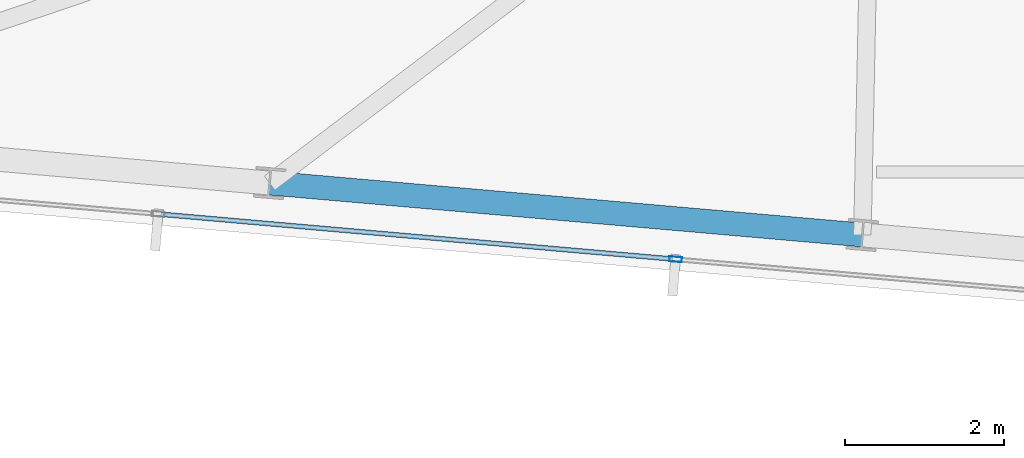
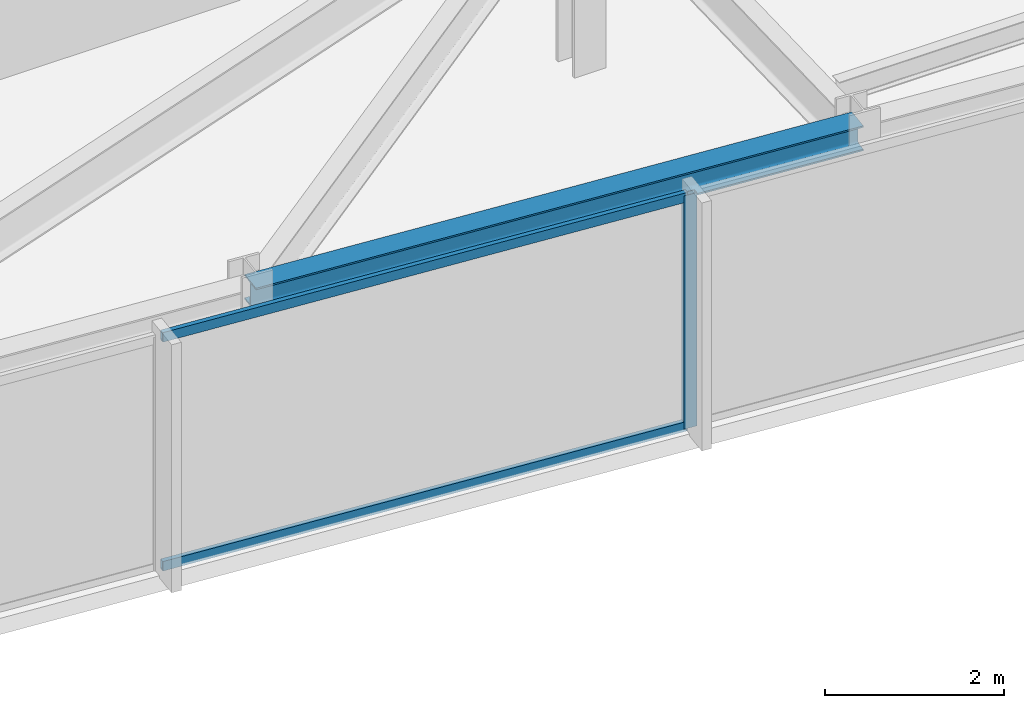
# One storey, part 3 of 32: 3 members, 1 beam, 1 element without a shape of its own.
"""IFC4 building model written with IfcOpenShell, lengths in metres."""

from ifc_helpers import new_model, si_unit, direction, frame, origin, origin_2d, place, context, subcontext, project, spatial, hollow_rectangle, i_section, extrude, material, material_profile, profile_set, type_object, element, aggregate, save


model = new_model("IFC4")

# Units and contexts
model_context = context("Model", 3, precision=1e-05, world=origin(), true_north=direction((0.0, 1.0)))
body_context = subcontext(model_context, "Body", "Model", "MODEL_VIEW")
ifc_project = project(units=[si_unit("LENGTHUNIT", "METRE"), si_unit("AREAUNIT", "SQUARE_METRE"), si_unit("VOLUMEUNIT", "CUBIC_METRE"), si_unit("PLANEANGLEUNIT", "RADIAN"), si_unit("MASSUNIT", "GRAM", prefix="KILO")], contexts=[model_context])

# Site, building, storey
site_placement = place(None, origin())
site = spatial("IfcSite", under=ifc_project, at=site_placement, CompositionType="ELEMENT")
building_placement = place(site_placement, origin())
building = spatial("IfcBuilding", under=site, at=building_placement, Name="Yelkora Congress Tower", CompositionType="ELEMENT")
storey_placement = place(building_placement, frame((0.0, 0.0, 272.699951171875)))
storey = spatial("IfcBuildingStorey", under=building, at=storey_placement, Name="L76", CompositionType="ELEMENT", Elevation=272.699951171875)

# Beam
ifc_material_1 = material(Name="Steel S355J2", Category="steel")
ifc_material_profile_1 = material_profile(ifc_material_1, i_section(OverallWidth=0.300048828125, OverallDepth=0.340087890625, WebThickness=0.011962890625, FlangeThickness=0.021484375, FilletRadius=0.027099609375, at=origin_2d()), Name="HEB 340")
ifc_profile_set_1 = profile_set([ifc_material_profile_1], Name="Steel S355J2")
beam_type = type_object("IfcBeamType", Name="BM-SPAN-HEB340", PredefinedType="SPANDREL", material=ifc_profile_set_1)
beam_placement = place(storey_placement, frame((15.452880859375, 19.445556640625, 3.010009765625), z_axis=(0.996193186297, -0.08717302092, 0.0), x_axis=(0.08717302092, 0.996193186297, 0.0)))
element("IfcBeam", 1, at=beam_placement, inside=storey, type_object=beam_type, Name="L76 Perimeter Beam 2", PredefinedType="SPANDREL", context=body_context, shape_type="SweptSolid", body=[
    extrude(i_section(OverallWidth=0.300048828125, OverallDepth=0.340087890625, WebThickness=0.011962890625, FlangeThickness=0.021484375, FilletRadius=0.027099609375, at=origin_2d()), origin(), (0.0, 0.0, 1.0), 7.4833984375),
])

# Curtain wall, members
ifc_material_2 = material(Name="Anodised aluminium and insulated glass", Category="aluminium")
curtain_wall_type = type_object("IfcCurtainWallType", Name="CW-SYS-B5", PredefinedType="NOTDEFINED", material=ifc_material_2)
curtain_wall_placement = place(storey_placement, origin())
curtain_wall = element("IfcCurtainWall", 2, at=curtain_wall_placement, inside=storey, type_object=curtain_wall_type, Name="L76 Unitised Curtain Wall 20", PredefinedType="NOTDEFINED")
ifc_material_3 = material(Name="Anodised aluminium 6063-T6", Category="aluminium")
ifc_material_profile_2 = material_profile(ifc_material_3, hollow_rectangle(XDim=0.06494140625, YDim=0.159912109375, WallThickness=0.00390625, at=origin_2d()), Name="ALU 65x160x4")
ifc_profile_set_2 = profile_set([ifc_material_profile_2], Name="Anodised aluminium 6063-T6")
member_type_1 = type_object("IfcMemberType", Name="MEM-ML-B5", PredefinedType="MULLION", material=ifc_profile_set_2)
member_1_placement = place(storey_placement, frame((20.558349609375, 18.487060546875, 0.0), z_axis=(0.0, 0.0, 1.0), x_axis=(-0.087156829793, -0.996194602987, 0.0)))
member_1 = element("IfcMember", 3, at=member_1_placement, type_object=member_type_1, Name="CW-B5 mullion 6", PredefinedType="MULLION", context=body_context, shape_type="SweptSolid", body=[
    extrude(hollow_rectangle(XDim=0.06494140625, YDim=0.159912109375, WallThickness=0.00390625, at=origin_2d()), origin(), (0.0, 0.0, 1.0), 3.179931640625),
])
ifc_material_profile_3 = material_profile(ifc_material_3, hollow_rectangle(XDim=0.06005859375, YDim=0.1298828125, WallThickness=0.00390625, at=origin_2d()), Name="ALU 60x130x4")
ifc_profile_set_3 = profile_set([ifc_material_profile_3], Name="Anodised aluminium 6063-T6")
member_type_2 = type_object("IfcMemberType", Name="MEM-TR-B5", PredefinedType="USERDEFINED", material=ifc_profile_set_3)
member_2_placement = place(storey_placement, frame((20.52587890625, 18.48974609375, 0.030029296875), z_axis=(-0.99619269288, 0.087178659385, 0.0), x_axis=(-0.087178659385, -0.99619269288, 0.0)))
member_2 = element("IfcMember", 4, at=member_2_placement, type_object=member_type_2, Name="CW-B5 transom 6.1", ObjectType="TRANSOM", PredefinedType="USERDEFINED", context=body_context, shape_type="SweptSolid", body=[
    extrude(hollow_rectangle(XDim=0.06005859375, YDim=0.1298828125, WallThickness=0.00390625, at=origin_2d()), origin(), (0.0, 0.0, 1.0), 6.46630859375),
])
member_3_placement = place(storey_placement, frame((20.52587890625, 18.48974609375, 3.150146484375), z_axis=(-0.99619269288, 0.087178659385, 0.0), x_axis=(-0.087178659385, -0.99619269288, 0.0)))
member_3 = element("IfcMember", 5, at=member_3_placement, type_object=member_type_2, Name="CW-B5 transom 6.2", ObjectType="TRANSOM", PredefinedType="USERDEFINED", context=body_context, shape_type="SweptSolid", body=[
    extrude(hollow_rectangle(XDim=0.06005859375, YDim=0.1298828125, WallThickness=0.00390625, at=origin_2d()), origin(), (0.0, 0.0, 1.0), 6.46630859375),
])
aggregate(curtain_wall, [member_1, member_2, member_3])

save(model, "model.ifc")
